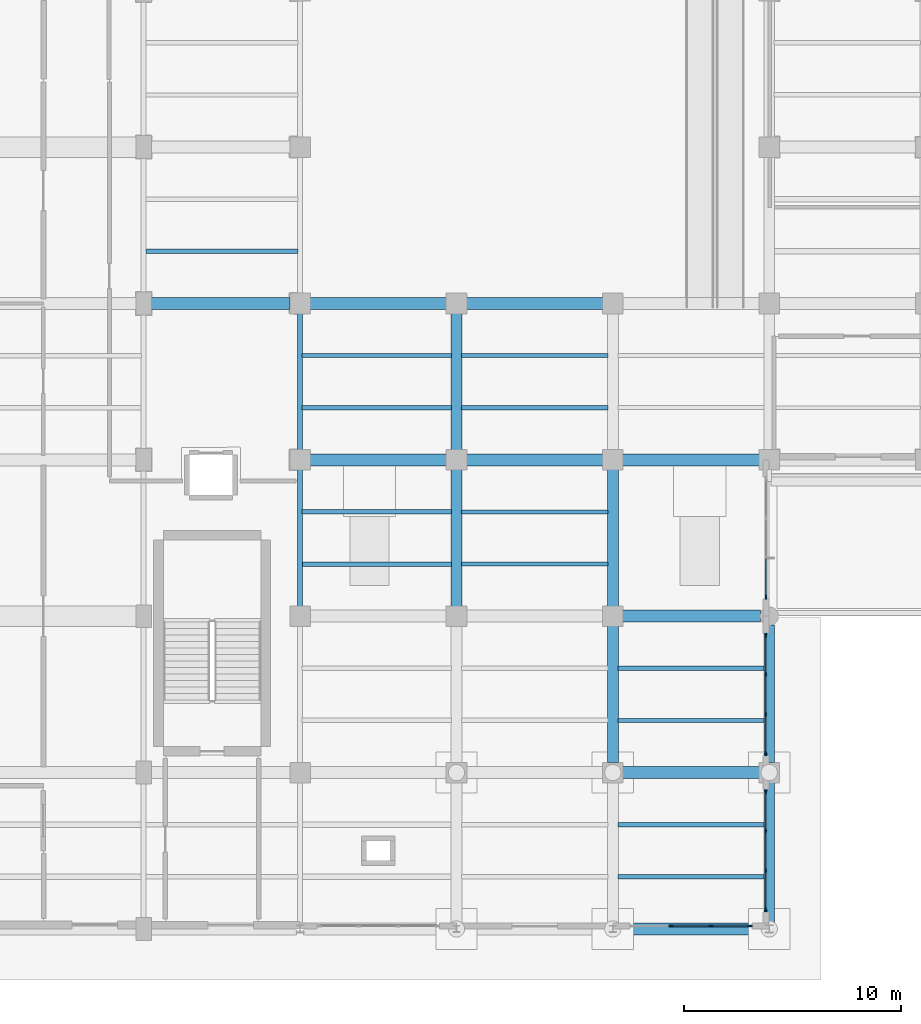
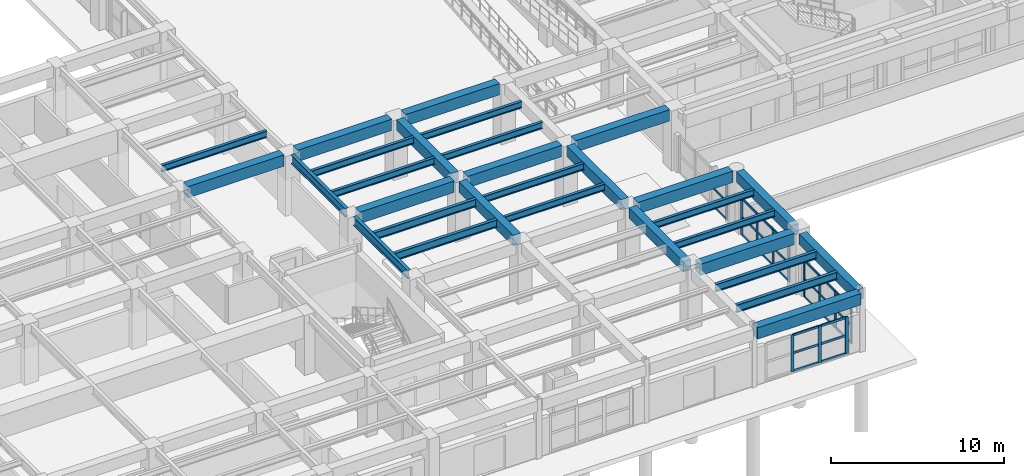
# One storey, part 7 of 64: 38 members, 30 beams, 4 elements without a shape of their own.
"""IFC4 building model written with IfcOpenShell, lengths in metres."""

import ifcopenshell
import ifcopenshell.guid

model = None  # the IFC model being written
_history = None  # IfcOwnerHistory: only IFC2X3 demands one
_inside = {}  # id of a spatial element -> (the spatial element, [elements in it])
_under = {}  # id of a project, library or spatial element -> (it, [spatial elements below it])
_declared = {}  # id of a project -> (the project, [libraries it declares])
_typed = {}  # id of a type object -> (the type object, [elements of that type])
_made_of = {}  # id of a material, layer set ... -> (it, [elements and type objects made of it])


def new_model(schema):
    """Start an empty IFC model of exactly this schema.

    Asked for "IFC4X3", IfcOpenShell would pick the latest addendum, in which some entities
    have other attributes; the version numbers below select the first issue.
    IFC2X3 requires an IfcOwnerHistory on every rooted entity: one is made here for all.
    """
    global model, _history
    if schema == "IFC4X3":
        model = ifcopenshell.file(schema_version=(4, 3, 0, 0))
    else:
        model = ifcopenshell.file(schema=schema)
    _inside.clear()
    _under.clear()
    _declared.clear()
    _typed.clear()
    _made_of.clear()
    _history = None
    if model.schema == "IFC2X3":
        org = make("IfcOrganization", Name="unknown")
        user = make(
            "IfcPersonAndOrganization",
            ThePerson=make("IfcPerson", FamilyName="unknown"),
            TheOrganization=org,
        )
        app = make(
            "IfcApplication",
            ApplicationDeveloper=org,
            Version="unknown",
            ApplicationFullName="unknown",
            ApplicationIdentifier="unknown",
        )
        _history = make(
            "IfcOwnerHistory",
            OwningUser=user,
            OwningApplication=app,
            ChangeAction="ADDED",
            CreationDate=0,
        )
    return model


def make(cls, **values):
    """One entity of the class cls with the attributes given. An attribute that is None is left unset."""
    return model.create_entity(
        cls, **{name: value for name, value in values.items() if value is not None}
    )


def rooted(cls, **values):
    """An entity with a GlobalId (a new one), such as an element, a storey or a relation."""
    return make(cls, GlobalId=ifcopenshell.guid.new(), OwnerHistory=_history, **values)


def si_unit(unit_type, name, prefix=None):
    """IfcSIUnit, for example si_unit("LENGTHUNIT", "METRE", prefix="MILLI")."""
    return make("IfcSIUnit", UnitType=unit_type, Prefix=prefix, Name=name)


def assignment(units):
    """IfcUnitAssignment: the units of a project."""
    return None if units is None else make("IfcUnitAssignment", Units=units)


def point(xyz):
    """IfcCartesianPoint."""
    return None if xyz is None else make("IfcCartesianPoint", Coordinates=xyz)


def direction(xyz):
    """IfcDirection."""
    return None if xyz is None else make("IfcDirection", DirectionRatios=xyz)


def frame(location, z_axis=None, x_axis=None):
    """IfcAxis2Placement3D, a coordinate frame: its origin and axes. An axis left out is left unset."""
    return make(
        "IfcAxis2Placement3D",
        Location=point(location),
        Axis=direction(z_axis),
        RefDirection=direction(x_axis),
    )


def frame_2d(location, x_axis=None):
    """IfcAxis2Placement2D, a coordinate frame in the plane: its origin and x axis."""
    return make(
        "IfcAxis2Placement2D", Location=point(location), RefDirection=direction(x_axis)
    )


def origin():
    """The frame at (0, 0, 0) with its axes left unset."""
    return frame((0.0, 0.0, 0.0))


def origin_2d():
    """The frame at (0, 0) in the plane with its x axis left unset."""
    return frame_2d((0.0, 0.0))


def place(relative_to, where):
    """IfcLocalPlacement: puts the frame where relative to a parent placement (None: the world)."""
    return make(
        "IfcLocalPlacement", PlacementRelTo=relative_to, RelativePlacement=where
    )


def context(
    kind, dimensions, precision=None, world=None, true_north=None, identifier=None
):
    """IfcGeometricRepresentationContext, for example the 3D "Model" context."""
    return make(
        "IfcGeometricRepresentationContext",
        ContextIdentifier=identifier,
        ContextType=kind,
        CoordinateSpaceDimension=dimensions,
        Precision=precision,
        WorldCoordinateSystem=world,
        TrueNorth=true_north,
    )


def subcontext(parent, identifier, kind, view, scale=None):
    """IfcGeometricRepresentationSubContext, for example "Body" below "Model"."""
    return make(
        "IfcGeometricRepresentationSubContext",
        ContextIdentifier=identifier,
        ContextType=kind,
        ParentContext=parent,
        TargetScale=scale,
        TargetView=view,
    )


def project(units=None, contexts=None):
    """IfcProject with its units and contexts."""
    return rooted(
        "IfcProject",
        Name="project",
        RepresentationContexts=contexts,
        UnitsInContext=assignment(units),
    )


def spatial(cls, under=None, at=None, **own):
    """A site, building, storey or space (cls), placed at a placement, below another one or the project."""
    s = rooted(cls, ObjectPlacement=at, **own)
    if under is not None:
        _under.setdefault(under.id(), (under, []))[1].append(s)
    return s


def profile(cls, at=None, kind="AREA", **sizes):
    """A parametric profile (cls). Its sizes go by their IFC names, for example OverallWidth=200.0."""
    return make(cls, ProfileType=kind, Position=at, **sizes)


def rectangle(**sizes):
    """IfcRectangleProfileDef."""
    return profile("IfcRectangleProfileDef", **sizes)


def i_section(**sizes):
    """IfcIShapeProfileDef."""
    return profile("IfcIShapeProfileDef", **sizes)


def extrude(swept, where, along, depth):
    """IfcExtrudedAreaSolid: the profile swept, set in the frame where, extruded along a direction by depth."""
    return make(
        "IfcExtrudedAreaSolid",
        SweptArea=swept,
        Position=where,
        ExtrudedDirection=direction(along),
        Depth=depth,
    )


def shape(context_of_items, identifier, shape_type, items):
    """IfcShapeRepresentation: the items that make up one representation, for example the "Body"."""
    return make(
        "IfcShapeRepresentation",
        ContextOfItems=context_of_items,
        RepresentationIdentifier=identifier,
        RepresentationType=shape_type,
        Items=items,
    )


def material(Name=None, Category=None):
    """IfcMaterial."""
    return make("IfcMaterial", Name=Name, Category=Category)


def layer(
    of_material, thickness, ventilated=None, Name=None, Category=None, Priority=None
):
    """IfcMaterialLayer: one layer of a wall or slab, of a material (None: an air gap)."""
    return make(
        "IfcMaterialLayer",
        Material=of_material,
        LayerThickness=thickness,
        IsVentilated=ventilated,
        Name=Name,
        Category=Category,
        Priority=Priority,
    )


def layer_set(layers, Name=None):
    """IfcMaterialLayerSet."""
    return make("IfcMaterialLayerSet", MaterialLayers=layers, LayerSetName=Name)


def material_profile(
    of_material, cross_section, Name=None, Category=None, Priority=None
):
    """IfcMaterialProfile: a cross section and its material."""
    return make(
        "IfcMaterialProfile",
        Name=Name,
        Material=of_material,
        Profile=cross_section,
        Priority=Priority,
        Category=Category,
    )


def profile_set(profiles, Name=None, composite=None):
    """IfcMaterialProfileSet."""
    return make(
        "IfcMaterialProfileSet",
        Name=Name,
        MaterialProfiles=profiles,
        CompositeProfile=composite,
    )


def made_of(thing, what):
    """Note that an element or type object is made of a material, layer set ...; save() writes the relation."""
    if what is not None:
        _made_of.setdefault(what.id(), (what, []))[1].append(thing)
    return thing


def type_object(cls, material=None, **own):
    """A type object (cls), such as IfcWallType, which elements share."""
    return made_of(rooted(cls, **own), material)


def element(
    cls,
    number,
    at=None,
    inside=None,
    cuts=None,
    type_object=None,
    material=None,
    context=None,
    identifier="Body",
    shape_type=None,
    held_by="IfcProductDefinitionShape",
    body=None,
    shapes=None,
    **own,
):
    """One element of the class cls, such as IfcWall. Its Tag is "e" and its number.

    at: its placement. inside: the storey or other place that contains it. cuts: it is an
    opening in that element (IfcRelVoidsElement). A single representation is given by context,
    identifier, shape_type and body (its items); several are given by shapes. held_by: the class
    of the entity that holds the representations. save() writes the other relations.
    """
    e = rooted(cls, Tag="e%d" % number, ObjectPlacement=at, **own)
    if body is not None:
        shapes = [shape(context, identifier, shape_type, body)]
    if shapes is not None:
        e.Representation = make(held_by, Representations=shapes)
    if inside is not None:
        _inside.setdefault(inside.id(), (inside, []))[1].append(e)
    if cuts is not None:
        rooted(
            "IfcRelVoidsElement", RelatingBuildingElement=cuts, RelatedOpeningElement=e
        )
    if type_object is not None:
        _typed.setdefault(type_object.id(), (type_object, []))[1].append(e)
    return made_of(e, material)


def aggregate(whole, parts):
    """IfcRelAggregates: a whole, such as a stair, and the parts it consists of."""
    return rooted("IfcRelAggregates", RelatingObject=whole, RelatedObjects=parts)


def save(model, path):
    """Write the relations noted so far, then the file.

    IfcRelAggregates (storeys below a building ...), IfcRelContainedInSpatialStructure (elements
    in a storey), IfcRelDefinesByType, IfcRelAssociatesMaterial and IfcRelDeclares: one each for
    every whole, place, type object, material and project.
    """
    for whole, parts in _under.values():
        aggregate(whole, parts)
    for where, things in _inside.values():
        rooted(
            "IfcRelContainedInSpatialStructure",
            RelatedElements=things,
            RelatingStructure=where,
        )
    for kind, things in _typed.values():
        rooted("IfcRelDefinesByType", RelatedObjects=things, RelatingType=kind)
    for what, things in _made_of.values():
        rooted("IfcRelAssociatesMaterial", RelatedObjects=things, RelatingMaterial=what)
    for by, libraries in _declared.values():
        rooted("IfcRelDeclares", RelatingContext=by, RelatedDefinitions=libraries)
    model.write(path)


model = new_model("IFC4")

# Units and contexts
model_context = context("Model", 3, precision=1e-05, world=origin(), true_north=direction((0.0, 1.0)))
body_context = subcontext(model_context, "Body", "Model", "MODEL_VIEW")
ifc_project = project(units=[si_unit("LENGTHUNIT", "METRE"), si_unit("AREAUNIT", "SQUARE_METRE"), si_unit("VOLUMEUNIT", "CUBIC_METRE"), si_unit("PLANEANGLEUNIT", "RADIAN"), si_unit("MASSUNIT", "GRAM", prefix="KILO")], contexts=[model_context])

# Site, building, storey
site_placement = place(None, origin())
site = spatial("IfcSite", under=ifc_project, at=site_placement, CompositionType="ELEMENT")
building_placement = place(site_placement, origin())
building = spatial("IfcBuilding", under=site, at=building_placement, Name="Solenvale Faculty of Natural Sciences", CompositionType="ELEMENT")
storey_placement = place(building_placement, origin())
storey = spatial("IfcBuildingStorey", under=building, at=storey_placement, Name="L00", CompositionType="ELEMENT", Elevation=0.0)

# Beams
ifc_material_1 = material(Name="Concrete 40 MPa", Category="concrete")
ifc_material_profile_1 = material_profile(ifc_material_1, rectangle(XDim=0.5, YDim=0.75, at=origin_2d()), Name="RC-BM-500x750")
ifc_profile_set_1 = profile_set([ifc_material_profile_1], Name="Concrete 40 MPa")
beam_type_1 = type_object("IfcBeamType", Name="BM-RC-500x750", PredefinedType="BEAM", material=ifc_profile_set_1)
for number, where, z_axis, x_axis, name in (
    (1, (43.199951171875, 14.85498046875, 3.844970703125), (0.0, 1.0, 0.0), (-1.0, 0.0, 0.0), "L00 Y-Girder X43.2 (14.4..21.6)"),
    (2, (43.199951171875, 22.054931640625, 3.844970703125), (0.0, 1.0, 0.0), (-1.0, 0.0, 0.0), "L00 Y-Girder X43.2 (21.6..28.8)"),
    (3, (50.39990234375, 7.655029296875, 3.844970703125), (0.0, 1.0, 0.0), (-1.0, 0.0, 0.0), "L00 Y-Girder X50.4 (7.2..14.4)"),
    (4, (50.39990234375, 14.85498046875, 3.844970703125), (0.0, 1.0, 0.0), (-1.0, 0.0, 0.0), "L00 Y-Girder X50.4 (14.4..21.6)"),
):
    element("IfcBeam", number, at=place(storey_placement, frame(where, z_axis=z_axis, x_axis=x_axis)), inside=storey, type_object=beam_type_1, Name=name, PredefinedType="BEAM", context=body_context, shape_type="SweptSolid", body=[
        extrude(rectangle(XDim=0.5, YDim=0.75, at=origin_2d()), origin(), (0.0, 0.0, 1.0), 6.2900390625),
    ])
beam_1_placement = place(storey_placement, frame((57.60009765625, 0.157958984375, 3.844970703125), z_axis=(0.0, 1.0, 0.0), x_axis=(-1.0, 0.0, 0.0)))
element("IfcBeam", 5, at=beam_1_placement, inside=storey, type_object=beam_type_1, Name="L00 Y-Girder X57.6 (0.0..7.2)", PredefinedType="BEAM", context=body_context, shape_type="SweptSolid", body=[
    extrude(rectangle(XDim=0.5, YDim=0.75, at=origin_2d()), origin(), (0.0, 0.0, 1.0), 6.587158203125),
])
beam_2_placement = place(storey_placement, frame((57.60009765625, 7.655029296875, 3.844970703125), z_axis=(0.0, 1.0, 0.0), x_axis=(-1.0, 0.0, 0.0)))
element("IfcBeam", 6, at=beam_2_placement, inside=storey, type_object=beam_type_1, Name="L00 Y-Girder X57.6 (7.2..14.4)", PredefinedType="BEAM", context=body_context, shape_type="SweptSolid", body=[
    extrude(rectangle(XDim=0.5, YDim=0.75, at=origin_2d()), origin(), (0.0, 0.0, 1.0), 6.340087890625),
])
ifc_material_profile_2 = material_profile(ifc_material_1, rectangle(XDim=0.550048828125, YDim=0.800048828125, at=origin_2d()), Name="RC-BM-550x800")
ifc_profile_set_2 = profile_set([ifc_material_profile_2], Name="Concrete 40 MPa")
beam_type_2 = type_object("IfcBeamType", Name="BM-RC-550x800", PredefinedType="BEAM", material=ifc_profile_set_2)
beam_3_placement = place(storey_placement, frame((50.533935546875, 0.0, 3.820068359375), z_axis=(1.0, 0.0, 0.0), x_axis=(0.0, 1.0, 0.0)))
element("IfcBeam", 7, at=beam_3_placement, inside=storey, type_object=beam_type_2, Name="L00 X-Girder Y0.0 (50.4..57.6)", PredefinedType="BEAM", context=body_context, shape_type="SweptSolid", body=[
    extrude(rectangle(XDim=0.550048828125, YDim=0.800048828125, at=origin_2d()), origin(), (0.0, 0.0, 1.0), 6.902099609375),
])
beam_4_placement = place(storey_placement, frame((50.85498046875, 7.199951171875, 3.820068359375), z_axis=(1.0, 0.0, 0.0), x_axis=(0.0, 1.0, 0.0)))
element("IfcBeam", 8, at=beam_4_placement, inside=storey, type_object=beam_type_2, Name="L00 X-Girder Y7.2 (50.4..57.6)", PredefinedType="BEAM", context=body_context, shape_type="SweptSolid", body=[
    extrude(rectangle(XDim=0.550048828125, YDim=0.800048828125, at=origin_2d()), origin(), (0.0, 0.0, 1.0), 6.2900390625),
])
beam_5_placement = place(storey_placement, frame((50.85498046875, 14.39990234375, 3.820068359375), z_axis=(1.0, 0.0, 0.0), x_axis=(0.0, 1.0, 0.0)))
element("IfcBeam", 9, at=beam_5_placement, inside=storey, type_object=beam_type_2, Name="L00 X-Girder Y14.4 (50.4..57.6)", PredefinedType="BEAM", context=body_context, shape_type="SweptSolid", body=[
    extrude(rectangle(XDim=0.550048828125, YDim=0.800048828125, at=origin_2d()), origin(), (0.0, 0.0, 1.0), 6.340087890625),
])
for number, where, z_axis, x_axis, name in (
    (10, (36.455078125, 21.60009765625, 3.820068359375), (1.0, 0.0, 0.0), (0.0, 1.0, 0.0), "L00 X-Girder Y21.6 (36.0..43.2)"),
    (11, (43.655029296875, 21.60009765625, 3.820068359375), (1.0, 0.0, 0.0), (0.0, 1.0, 0.0), "L00 X-Girder Y21.6 (43.2..50.4)"),
    (12, (50.85498046875, 21.60009765625, 3.820068359375), (1.0, 0.0, 0.0), (0.0, 1.0, 0.0), "L00 X-Girder Y21.6 (50.4..57.6)"),
):
    element("IfcBeam", number, at=place(storey_placement, frame(where, z_axis=z_axis, x_axis=x_axis)), inside=storey, type_object=beam_type_2, Name=name, PredefinedType="BEAM", context=body_context, shape_type="SweptSolid", body=[
        extrude(rectangle(XDim=0.550048828125, YDim=0.800048828125, at=origin_2d()), origin(), (0.0, 0.0, 1.0), 6.2900390625),
    ])
beam_6_placement = place(storey_placement, frame((29.1298828125, 28.800048828125, 3.820068359375), z_axis=(1.0, 0.0, 0.0), x_axis=(0.0, 1.0, 0.0)))
element("IfcBeam", 13, at=beam_6_placement, inside=storey, type_object=beam_type_2, Name="L00 X-Girder Y28.8 (28.8..36.0)", PredefinedType="BEAM", context=body_context, shape_type="SweptSolid", body=[
    extrude(rectangle(XDim=0.550048828125, YDim=0.800048828125, at=origin_2d()), origin(), (0.0, 0.0, 1.0), 6.4150390625),
])
for number, where, z_axis, x_axis, name in (
    (14, (36.455078125, 28.800048828125, 3.820068359375), (1.0, 0.0, 0.0), (0.0, 1.0, 0.0), "L00 X-Girder Y28.8 (36.0..43.2)"),
    (15, (43.655029296875, 28.800048828125, 3.820068359375), (1.0, 0.0, 0.0), (0.0, 1.0, 0.0), "L00 X-Girder Y28.8 (43.2..50.4)"),
):
    element("IfcBeam", number, at=place(storey_placement, frame(where, z_axis=z_axis, x_axis=x_axis)), inside=storey, type_object=beam_type_2, Name=name, PredefinedType="BEAM", context=body_context, shape_type="SweptSolid", body=[
        extrude(rectangle(XDim=0.550048828125, YDim=0.800048828125, at=origin_2d()), origin(), (0.0, 0.0, 1.0), 6.2900390625),
    ])
ifc_material_2 = material(Name="Steel S355", Category="steel")
ifc_material_profile_3 = material_profile(ifc_material_2, i_section(OverallWidth=0.194091796875, OverallDepth=0.468994140625, WebThickness=0.0126953125, FlangeThickness=0.0205078125, FilletRadius=0.01806640625, at=origin_2d()), Name="W460x106")
ifc_profile_set_3 = profile_set([ifc_material_profile_3], Name="Steel S355")
beam_type_3 = type_object("IfcBeamType", Name="BM-STL-W460x106", PredefinedType="JOIST", material=ifc_profile_set_3)
beam_7_placement = place(storey_placement, frame((28.89501953125, 31.199951171875, 3.985595703125), z_axis=(1.0, 0.0, 0.0), x_axis=(0.0, 1.0, 0.0)))
element("IfcBeam", 16, at=beam_7_placement, inside=storey, type_object=beam_type_3, Name="L00 Composite Floor Joist (5,5).1", PredefinedType="JOIST", context=body_context, shape_type="SweptSolid", body=[
    extrude(i_section(OverallWidth=0.194091796875, OverallDepth=0.468994140625, WebThickness=0.0126953125, FlangeThickness=0.0205078125, FilletRadius=0.01806640625, at=origin_2d()), origin(), (0.0, 0.0, 1.0), 7.010986328125),
])
for number, where, z_axis, x_axis, name in (
    (17, (36.093994140625, 24.0, 3.985595703125), (1.0, 0.0, 0.0), (0.0, 1.0, 0.0), "L00 Composite Floor Joist (6,4).1"),
    (18, (36.093994140625, 26.39990234375, 3.985595703125), (1.0, 0.0, 0.0), (0.0, 1.0, 0.0), "L00 Composite Floor Joist (6,4).2"),
):
    element("IfcBeam", number, at=place(storey_placement, frame(where, z_axis=z_axis, x_axis=x_axis)), inside=storey, type_object=beam_type_3, Name=name, PredefinedType="JOIST", context=body_context, shape_type="SweptSolid", body=[
        extrude(i_section(OverallWidth=0.194091796875, OverallDepth=0.468994140625, WebThickness=0.0126953125, FlangeThickness=0.0205078125, FilletRadius=0.01806640625, at=origin_2d()), origin(), (0.0, 0.0, 1.0), 6.8759765625),
    ])
for number, where, z_axis, x_axis, name in (
    (19, (43.429931640625, 16.800048828125, 3.985595703125), (1.0, 0.0, 0.0), (0.0, 1.0, 0.0), "L00 Composite Floor Joist (7,3).1"),
    (20, (43.429931640625, 19.199951171875, 3.985595703125), (1.0, 0.0, 0.0), (0.0, 1.0, 0.0), "L00 Composite Floor Joist (7,3).2"),
):
    element("IfcBeam", number, at=place(storey_placement, frame(where, z_axis=z_axis, x_axis=x_axis)), inside=storey, type_object=beam_type_3, Name=name, PredefinedType="JOIST", context=body_context, shape_type="SweptSolid", body=[
        extrude(i_section(OverallWidth=0.194091796875, OverallDepth=0.468994140625, WebThickness=0.0126953125, FlangeThickness=0.0205078125, FilletRadius=0.01806640625, at=origin_2d()), origin(), (0.0, 0.0, 1.0), 6.739990234375),
    ])
for number, where, z_axis, x_axis, name in (
    (21, (50.6298828125, 9.60009765625, 3.985595703125), (1.0, 0.0, 0.0), (0.0, 1.0, 0.0), "L00 Composite Floor Joist (8,2).1"),
    (22, (50.6298828125, 12.0, 3.985595703125), (1.0, 0.0, 0.0), (0.0, 1.0, 0.0), "L00 Composite Floor Joist (8,2).2"),
):
    element("IfcBeam", number, at=place(storey_placement, frame(where, z_axis=z_axis, x_axis=x_axis)), inside=storey, type_object=beam_type_3, Name=name, PredefinedType="JOIST", context=body_context, shape_type="SweptSolid", body=[
        extrude(i_section(OverallWidth=0.194091796875, OverallDepth=0.468994140625, WebThickness=0.0126953125, FlangeThickness=0.0205078125, FilletRadius=0.01806640625, at=origin_2d()), origin(), (0.0, 0.0, 1.0), 6.740234375),
    ])
ifc_material_profile_4 = material_profile(ifc_material_2, i_section(OverallWidth=0.19091796875, OverallDepth=0.4599609375, WebThickness=0.010009765625, FlangeThickness=0.01611328125, FilletRadius=0.01806640625, at=origin_2d()), Name="W460x82")
ifc_profile_set_4 = profile_set([ifc_material_profile_4], Name="Steel S355")
beam_type_4 = type_object("IfcBeamType", Name="BM-STL-W460x82", PredefinedType="JOIST", material=ifc_profile_set_4)
for number, where, z_axis, x_axis, name in (
    (23, (43.429931640625, 24.0, 3.989990234375), (1.0, 0.0, 0.0), (0.0, 1.0, 0.0), "L00 Composite Floor Joist (7,4).1"),
    (24, (43.429931640625, 26.39990234375, 3.989990234375), (1.0, 0.0, 0.0), (0.0, 1.0, 0.0), "L00 Composite Floor Joist (7,4).2"),
):
    element("IfcBeam", number, at=place(storey_placement, frame(where, z_axis=z_axis, x_axis=x_axis)), inside=storey, type_object=beam_type_4, Name=name, PredefinedType="JOIST", context=body_context, shape_type="SweptSolid", body=[
        extrude(i_section(OverallWidth=0.19091796875, OverallDepth=0.4599609375, WebThickness=0.010009765625, FlangeThickness=0.01611328125, FilletRadius=0.01806640625, at=origin_2d()), origin(), (0.0, 0.0, 1.0), 6.739990234375),
    ])
ifc_material_profile_5 = material_profile(ifc_material_2, i_section(OverallWidth=0.208984375, OverallDepth=0.532958984375, WebThickness=0.01025390625, FlangeThickness=0.015625, FilletRadius=0.01904296875, at=origin_2d()), Name="W530x92")
ifc_profile_set_5 = profile_set([ifc_material_profile_5], Name="Steel S355")
beam_type_5 = type_object("IfcBeamType", Name="BM-STL-W530x92", PredefinedType="JOIST", material=ifc_profile_set_5)
for number, where, z_axis, x_axis, name in (
    (25, (36.093994140625, 16.800048828125, 3.95361328125), (1.0, 0.0, 0.0), (0.0, 1.0, 0.0), "L00 Composite Floor Joist (6,3).1"),
    (26, (36.093994140625, 19.199951171875, 3.95361328125), (1.0, 0.0, 0.0), (0.0, 1.0, 0.0), "L00 Composite Floor Joist (6,3).2"),
):
    element("IfcBeam", number, at=place(storey_placement, frame(where, z_axis=z_axis, x_axis=x_axis)), inside=storey, type_object=beam_type_5, Name=name, PredefinedType="JOIST", context=body_context, shape_type="SweptSolid", body=[
        extrude(i_section(OverallWidth=0.208984375, OverallDepth=0.532958984375, WebThickness=0.01025390625, FlangeThickness=0.015625, FilletRadius=0.01904296875, at=origin_2d()), origin(), (0.0, 0.0, 1.0), 6.8759765625),
    ])
for number, where, z_axis, x_axis, name in (
    (27, (50.6298828125, 2.39990234375, 3.95361328125), (1.0, 0.0, 0.0), (0.0, 1.0, 0.0), "L00 Composite Floor Joist (8,1).1"),
    (28, (50.6298828125, 4.800048828125, 3.95361328125), (1.0, 0.0, 0.0), (0.0, 1.0, 0.0), "L00 Composite Floor Joist (8,1).2"),
):
    element("IfcBeam", number, at=place(storey_placement, frame(where, z_axis=z_axis, x_axis=x_axis)), inside=storey, type_object=beam_type_5, Name=name, PredefinedType="JOIST", context=body_context, shape_type="SweptSolid", body=[
        extrude(i_section(OverallWidth=0.208984375, OverallDepth=0.532958984375, WebThickness=0.01025390625, FlangeThickness=0.015625, FilletRadius=0.01904296875, at=origin_2d()), origin(), (0.0, 0.0, 1.0), 6.740234375),
    ])
ifc_material_profile_6 = material_profile(ifc_material_2, i_section(OverallWidth=0.22900390625, OverallDepth=0.612060546875, WebThickness=0.011962890625, FlangeThickness=0.01953125, FilletRadius=0.01904296875, at=origin_2d()), Name="W610x125")
ifc_profile_set_6 = profile_set([ifc_material_profile_6], Name="Steel S355")
beam_type_6 = type_object("IfcBeamType", Name="BM-STL-W610x125", PredefinedType="BEAM", material=ifc_profile_set_6)
for number, where, z_axis, x_axis, name in (
    (29, (36.0, 14.85498046875, 3.9140625), (0.0, 1.0, 0.0), (-1.0, 0.0, 0.0), "L00 Y-Girder X36.0 (14.4..21.6)"),
    (30, (36.0, 22.054931640625, 3.9140625), (0.0, 1.0, 0.0), (-1.0, 0.0, 0.0), "L00 Y-Girder X36.0 (21.6..28.8)"),
):
    element("IfcBeam", number, at=place(storey_placement, frame(where, z_axis=z_axis, x_axis=x_axis)), inside=storey, type_object=beam_type_6, Name=name, PredefinedType="BEAM", context=body_context, shape_type="SweptSolid", body=[
        extrude(i_section(OverallWidth=0.22900390625, OverallDepth=0.612060546875, WebThickness=0.011962890625, FlangeThickness=0.01953125, FilletRadius=0.01904296875, at=origin_2d()), origin(), (0.0, 0.0, 1.0), 6.2900390625),
    ])

# Curtain wall, members
ifc_material_3 = material(Name="Anodised bronze aluminium", Category="aluminium")
ifc_layer_1 = layer(ifc_material_3, 0.205078125)
ifc_layer_set_1 = layer_set([ifc_layer_1], Name="Anodised bronze aluminium")
curtain_wall_type_1 = type_object("IfcCurtainWallType", Name="CW-POR-GLZ", PredefinedType="USERDEFINED", material=ifc_layer_set_1)
curtain_wall_1_placement = place(storey_placement, origin())
curtain_wall_1 = element("IfcCurtainWall", 31, at=curtain_wall_1_placement, inside=storey, type_object=curtain_wall_type_1, Name="L00 Curtain Wall CW-L00-P1-E1-B1", ObjectType="UNITISED CURTAIN WALL", PredefinedType="USERDEFINED")
ifc_material_profile_7 = material_profile(ifc_material_3, rectangle(XDim=0.074951171875, YDim=0.2099609375, at=origin_2d()), Name="ALU-MUL-75x210")
ifc_profile_set_7 = profile_set([ifc_material_profile_7], Name="Anodised bronze aluminium")
member_type_1 = type_object("IfcMemberType", Name="CWM-ALU-75x210", PredefinedType="MULLION", material=ifc_profile_set_7)
member_1_placement = place(storey_placement, frame((57.45751953125, 0.887451171875, 0.0), z_axis=(0.0, 0.0, 1.0), x_axis=(-1.0, 0.0, 0.0)))
member_1 = element("IfcMember", 32, at=member_1_placement, type_object=member_type_1, Name="CW-06 mullion 1", PredefinedType="MULLION", context=body_context, shape_type="SweptSolid", body=[
    extrude(rectangle(XDim=0.074951171875, YDim=0.2099609375, at=origin_2d()), origin(), (0.0, 0.0, 1.0), 2.60009765625),
])
member_2_placement = place(storey_placement, frame((57.45751953125, 2.683349609375, 0.0), z_axis=(0.0, 0.0, 1.0), x_axis=(-1.0, 0.0, 0.0)))
member_2 = element("IfcMember", 33, at=member_2_placement, type_object=member_type_1, Name="CW-06 mullion 2", PredefinedType="MULLION", context=body_context, shape_type="SweptSolid", body=[
    extrude(rectangle(XDim=0.074951171875, YDim=0.2099609375, at=origin_2d()), origin(), (0.0, 0.0, 1.0), 2.60009765625),
])
member_3_placement = place(storey_placement, frame((57.45751953125, 4.5166015625, 0.0), z_axis=(0.0, 0.0, 1.0), x_axis=(-1.0, 0.0, 0.0)))
member_3 = element("IfcMember", 34, at=member_3_placement, type_object=member_type_1, Name="CW-06 mullion 3", PredefinedType="MULLION", context=body_context, shape_type="SweptSolid", body=[
    extrude(rectangle(XDim=0.074951171875, YDim=0.2099609375, at=origin_2d()), origin(), (0.0, 0.0, 1.0), 2.60009765625),
])
member_4_placement = place(storey_placement, frame((57.45751953125, 6.3125, 0.0), z_axis=(0.0, 0.0, 1.0), x_axis=(-1.0, 0.0, 0.0)))
member_4 = element("IfcMember", 35, at=member_4_placement, type_object=member_type_1, Name="CW-06 mullion 4", PredefinedType="MULLION", context=body_context, shape_type="SweptSolid", body=[
    extrude(rectangle(XDim=0.074951171875, YDim=0.2099609375, at=origin_2d()), origin(), (0.0, 0.0, 1.0), 2.60009765625),
])

curtain_wall_2_placement = place(storey_placement, origin())
curtain_wall_2 = element("IfcCurtainWall", 36, at=curtain_wall_2_placement, inside=storey, type_object=curtain_wall_type_1, Name="L00 Curtain Wall CW-L00-P1-E1-B2", ObjectType="UNITISED CURTAIN WALL", PredefinedType="USERDEFINED")
member_5_placement = place(storey_placement, frame((57.45751953125, 8.08740234375, 0.0), z_axis=(0.0, 0.0, 1.0), x_axis=(-1.0, 0.0, 0.0)))
member_5 = element("IfcMember", 37, at=member_5_placement, type_object=member_type_1, Name="CW-06 mullion 1", PredefinedType="MULLION", context=body_context, shape_type="SweptSolid", body=[
    extrude(rectangle(XDim=0.074951171875, YDim=0.2099609375, at=origin_2d()), origin(), (0.0, 0.0, 1.0), 2.60009765625),
])
member_6_placement = place(storey_placement, frame((57.45751953125, 9.88330078125, 0.0), z_axis=(0.0, 0.0, 1.0), x_axis=(-1.0, 0.0, 0.0)))
member_6 = element("IfcMember", 38, at=member_6_placement, type_object=member_type_1, Name="CW-06 mullion 2", PredefinedType="MULLION", context=body_context, shape_type="SweptSolid", body=[
    extrude(rectangle(XDim=0.074951171875, YDim=0.2099609375, at=origin_2d()), origin(), (0.0, 0.0, 1.0), 2.60009765625),
])
member_7_placement = place(storey_placement, frame((57.45751953125, 11.716552734375, 0.0), z_axis=(0.0, 0.0, 1.0), x_axis=(-1.0, 0.0, 0.0)))
member_7 = element("IfcMember", 39, at=member_7_placement, type_object=member_type_1, Name="CW-06 mullion 3", PredefinedType="MULLION", context=body_context, shape_type="SweptSolid", body=[
    extrude(rectangle(XDim=0.074951171875, YDim=0.2099609375, at=origin_2d()), origin(), (0.0, 0.0, 1.0), 2.60009765625),
])
member_8_placement = place(storey_placement, frame((57.45751953125, 13.512451171875, 0.0), z_axis=(0.0, 0.0, 1.0), x_axis=(-1.0, 0.0, 0.0)))
member_8 = element("IfcMember", 40, at=member_8_placement, type_object=member_type_1, Name="CW-06 mullion 4", PredefinedType="MULLION", context=body_context, shape_type="SweptSolid", body=[
    extrude(rectangle(XDim=0.074951171875, YDim=0.2099609375, at=origin_2d()), origin(), (0.0, 0.0, 1.0), 2.60009765625),
])

# Curtain wall, member
ifc_layer_2 = layer(ifc_material_3, 0.215087890625)
ifc_layer_set_2 = layer_set([ifc_layer_2], Name="Anodised bronze aluminium")
curtain_wall_type_2 = type_object("IfcCurtainWallType", Name="CW-ATR-UNIT", PredefinedType="USERDEFINED", material=ifc_layer_set_2)
curtain_wall_3_placement = place(storey_placement, origin())
curtain_wall_3 = element("IfcCurtainWall", 41, at=curtain_wall_3_placement, inside=storey, type_object=curtain_wall_type_2, Name="L00 Curtain Wall CW-L00-P1-E2-B1", ObjectType="UNITISED CURTAIN WALL", PredefinedType="USERDEFINED")
member_9_placement = place(storey_placement, frame((57.45751953125, 15.28759765625, 0.0), z_axis=(0.0, 0.0, 1.0), x_axis=(-1.0, 0.0, 0.0)))
member_9 = element("IfcMember", 42, at=member_9_placement, type_object=member_type_1, Name="CW-01 mullion 1", PredefinedType="MULLION", context=body_context, shape_type="SweptSolid", body=[
    extrude(rectangle(XDim=0.074951171875, YDim=0.2099609375, at=origin_2d()), origin(), (0.0, 0.0, 1.0), 2.60009765625),
])

# Curtain wall, members
curtain_wall_4_placement = place(storey_placement, origin())
curtain_wall_4 = element("IfcCurtainWall", 43, at=curtain_wall_4_placement, inside=storey, type_object=curtain_wall_type_1, Name="L00 Curtain Wall CW-L00-P1-E26-B3", ObjectType="UNITISED CURTAIN WALL", PredefinedType="USERDEFINED")
member_10_placement = place(storey_placement, frame((53.083251953125, 0.142578125, 0.0), z_axis=(0.0, 0.0, 1.0), x_axis=(0.0, 1.0, 0.0)))
member_10 = element("IfcMember", 44, at=member_10_placement, type_object=member_type_1, Name="CW-06 mullion 2", PredefinedType="MULLION", context=body_context, shape_type="SweptSolid", body=[
    extrude(rectangle(XDim=0.074951171875, YDim=0.2099609375, at=origin_2d()), origin(), (0.0, 0.0, 1.0), 2.60009765625),
])
member_11_placement = place(storey_placement, frame((54.916748046875, 0.142578125, 0.0), z_axis=(0.0, 0.0, 1.0), x_axis=(0.0, 1.0, 0.0)))
member_11 = element("IfcMember", 45, at=member_11_placement, type_object=member_type_1, Name="CW-06 mullion 3", PredefinedType="MULLION", context=body_context, shape_type="SweptSolid", body=[
    extrude(rectangle(XDim=0.074951171875, YDim=0.2099609375, at=origin_2d()), origin(), (0.0, 0.0, 1.0), 2.60009765625),
])
member_12_placement = place(storey_placement, frame((56.71240234375, 0.142578125, 0.0), z_axis=(0.0, 0.0, 1.0), x_axis=(0.0, 1.0, 0.0)))
member_12 = element("IfcMember", 46, at=member_12_placement, type_object=member_type_1, Name="CW-06 mullion 4", PredefinedType="MULLION", context=body_context, shape_type="SweptSolid", body=[
    extrude(rectangle(XDim=0.074951171875, YDim=0.2099609375, at=origin_2d()), origin(), (0.0, 0.0, 1.0), 2.60009765625),
])

# Member
ifc_material_profile_8 = material_profile(ifc_material_3, rectangle(XDim=0.074951171875, YDim=0.155029296875, at=origin_2d()), Name="ALU-TRN-75x155")
ifc_profile_set_8 = profile_set([ifc_material_profile_8], Name="Anodised bronze aluminium")
member_type_2 = type_object("IfcMemberType", Name="CWT-ALU-75x155", PredefinedType="USERDEFINED", material=ifc_profile_set_8)
member_13_placement = place(storey_placement, frame((57.45751953125, 0.925048828125, 0.03759765625), z_axis=(0.0, 1.0, 0.0), x_axis=(-1.0, 0.0, 0.0)))
member_13 = element("IfcMember", 47, at=member_13_placement, type_object=member_type_2, Name="CW-06 transom 1.1", ObjectType="TRANSOM", PredefinedType="USERDEFINED", context=body_context, shape_type="SweptSolid", body=[
    extrude(rectangle(XDim=0.074951171875, YDim=0.155029296875, at=origin_2d()), origin(), (0.0, 0.0, 1.0), 1.720703125),
])

member_14_placement = place(storey_placement, frame((57.45751953125, 0.925048828125, 1.300048828125), z_axis=(0.0, 1.0, 0.0), x_axis=(-1.0, 0.0, 0.0)))
member_14 = element("IfcMember", 48, at=member_14_placement, type_object=member_type_2, Name="CW-06 transom 1.2", ObjectType="TRANSOM", PredefinedType="USERDEFINED", context=body_context, shape_type="SweptSolid", body=[
    extrude(rectangle(XDim=0.074951171875, YDim=0.155029296875, at=origin_2d()), origin(), (0.0, 0.0, 1.0), 1.720703125),
])

member_15_placement = place(storey_placement, frame((57.45751953125, 0.925048828125, 2.5625), z_axis=(0.0, 1.0, 0.0), x_axis=(-1.0, 0.0, 0.0)))
member_15 = element("IfcMember", 49, at=member_15_placement, type_object=member_type_2, Name="CW-06 transom 1.3", ObjectType="TRANSOM", PredefinedType="USERDEFINED", context=body_context, shape_type="SweptSolid", body=[
    extrude(rectangle(XDim=0.074951171875, YDim=0.155029296875, at=origin_2d()), origin(), (0.0, 0.0, 1.0), 1.720703125),
])

member_16_placement = place(storey_placement, frame((57.45751953125, 2.720947265625, 0.03759765625), z_axis=(0.0, 1.0, 0.0), x_axis=(-1.0, 0.0, 0.0)))
member_16 = element("IfcMember", 50, at=member_16_placement, type_object=member_type_2, Name="CW-06 transom 2.1", ObjectType="TRANSOM", PredefinedType="USERDEFINED", context=body_context, shape_type="SweptSolid", body=[
    extrude(rectangle(XDim=0.074951171875, YDim=0.155029296875, at=origin_2d()), origin(), (0.0, 0.0, 1.0), 1.75830078125),
])

member_17_placement = place(storey_placement, frame((57.45751953125, 2.720947265625, 1.300048828125), z_axis=(0.0, 1.0, 0.0), x_axis=(-1.0, 0.0, 0.0)))
member_17 = element("IfcMember", 51, at=member_17_placement, type_object=member_type_2, Name="CW-06 transom 2.2", ObjectType="TRANSOM", PredefinedType="USERDEFINED", context=body_context, shape_type="SweptSolid", body=[
    extrude(rectangle(XDim=0.074951171875, YDim=0.155029296875, at=origin_2d()), origin(), (0.0, 0.0, 1.0), 1.75830078125),
])

member_18_placement = place(storey_placement, frame((57.45751953125, 2.720947265625, 2.5625), z_axis=(0.0, 1.0, 0.0), x_axis=(-1.0, 0.0, 0.0)))
member_18 = element("IfcMember", 52, at=member_18_placement, type_object=member_type_2, Name="CW-06 transom 2.3", ObjectType="TRANSOM", PredefinedType="USERDEFINED", context=body_context, shape_type="SweptSolid", body=[
    extrude(rectangle(XDim=0.074951171875, YDim=0.155029296875, at=origin_2d()), origin(), (0.0, 0.0, 1.0), 1.75830078125),
])

member_19_placement = place(storey_placement, frame((57.45751953125, 4.55419921875, 0.03759765625), z_axis=(0.0, 1.0, 0.0), x_axis=(-1.0, 0.0, 0.0)))
member_19 = element("IfcMember", 53, at=member_19_placement, type_object=member_type_2, Name="CW-06 transom 3.1", ObjectType="TRANSOM", PredefinedType="USERDEFINED", context=body_context, shape_type="SweptSolid", body=[
    extrude(rectangle(XDim=0.074951171875, YDim=0.155029296875, at=origin_2d()), origin(), (0.0, 0.0, 1.0), 1.720703125),
])

member_20_placement = place(storey_placement, frame((57.45751953125, 4.55419921875, 1.300048828125), z_axis=(0.0, 1.0, 0.0), x_axis=(-1.0, 0.0, 0.0)))
member_20 = element("IfcMember", 54, at=member_20_placement, type_object=member_type_2, Name="CW-06 transom 3.2", ObjectType="TRANSOM", PredefinedType="USERDEFINED", context=body_context, shape_type="SweptSolid", body=[
    extrude(rectangle(XDim=0.074951171875, YDim=0.155029296875, at=origin_2d()), origin(), (0.0, 0.0, 1.0), 1.720703125),
])

member_21_placement = place(storey_placement, frame((57.45751953125, 4.55419921875, 2.5625), z_axis=(0.0, 1.0, 0.0), x_axis=(-1.0, 0.0, 0.0)))
member_21 = element("IfcMember", 55, at=member_21_placement, type_object=member_type_2, Name="CW-06 transom 3.3", ObjectType="TRANSOM", PredefinedType="USERDEFINED", context=body_context, shape_type="SweptSolid", body=[
    extrude(rectangle(XDim=0.074951171875, YDim=0.155029296875, at=origin_2d()), origin(), (0.0, 0.0, 1.0), 1.720703125),
])

aggregate(curtain_wall_1, [member_1, member_2, member_3, member_4, member_13, member_14, member_15, member_16, member_17, member_18, member_19, member_20, member_21])

member_22_placement = place(storey_placement, frame((57.45751953125, 8.125, 0.03759765625), z_axis=(0.0, 1.0, 0.0), x_axis=(-1.0, 0.0, 0.0)))
member_22 = element("IfcMember", 56, at=member_22_placement, type_object=member_type_2, Name="CW-06 transom 1.1", ObjectType="TRANSOM", PredefinedType="USERDEFINED", context=body_context, shape_type="SweptSolid", body=[
    extrude(rectangle(XDim=0.074951171875, YDim=0.155029296875, at=origin_2d()), origin(), (0.0, 0.0, 1.0), 1.720947265625),
])

member_23_placement = place(storey_placement, frame((57.45751953125, 8.125, 1.300048828125), z_axis=(0.0, 1.0, 0.0), x_axis=(-1.0, 0.0, 0.0)))
member_23 = element("IfcMember", 57, at=member_23_placement, type_object=member_type_2, Name="CW-06 transom 1.2", ObjectType="TRANSOM", PredefinedType="USERDEFINED", context=body_context, shape_type="SweptSolid", body=[
    extrude(rectangle(XDim=0.074951171875, YDim=0.155029296875, at=origin_2d()), origin(), (0.0, 0.0, 1.0), 1.720947265625),
])

member_24_placement = place(storey_placement, frame((57.45751953125, 8.125, 2.5625), z_axis=(0.0, 1.0, 0.0), x_axis=(-1.0, 0.0, 0.0)))
member_24 = element("IfcMember", 58, at=member_24_placement, type_object=member_type_2, Name="CW-06 transom 1.3", ObjectType="TRANSOM", PredefinedType="USERDEFINED", context=body_context, shape_type="SweptSolid", body=[
    extrude(rectangle(XDim=0.074951171875, YDim=0.155029296875, at=origin_2d()), origin(), (0.0, 0.0, 1.0), 1.720947265625),
])

member_25_placement = place(storey_placement, frame((57.45751953125, 9.9208984375, 0.03759765625), z_axis=(0.0, 1.0, 0.0), x_axis=(-1.0, 0.0, 0.0)))
member_25 = element("IfcMember", 59, at=member_25_placement, type_object=member_type_2, Name="CW-06 transom 2.1", ObjectType="TRANSOM", PredefinedType="USERDEFINED", context=body_context, shape_type="SweptSolid", body=[
    extrude(rectangle(XDim=0.074951171875, YDim=0.155029296875, at=origin_2d()), origin(), (0.0, 0.0, 1.0), 1.75830078125),
])

member_26_placement = place(storey_placement, frame((57.45751953125, 9.9208984375, 1.300048828125), z_axis=(0.0, 1.0, 0.0), x_axis=(-1.0, 0.0, 0.0)))
member_26 = element("IfcMember", 60, at=member_26_placement, type_object=member_type_2, Name="CW-06 transom 2.2", ObjectType="TRANSOM", PredefinedType="USERDEFINED", context=body_context, shape_type="SweptSolid", body=[
    extrude(rectangle(XDim=0.074951171875, YDim=0.155029296875, at=origin_2d()), origin(), (0.0, 0.0, 1.0), 1.75830078125),
])

member_27_placement = place(storey_placement, frame((57.45751953125, 9.9208984375, 2.5625), z_axis=(0.0, 1.0, 0.0), x_axis=(-1.0, 0.0, 0.0)))
member_27 = element("IfcMember", 61, at=member_27_placement, type_object=member_type_2, Name="CW-06 transom 2.3", ObjectType="TRANSOM", PredefinedType="USERDEFINED", context=body_context, shape_type="SweptSolid", body=[
    extrude(rectangle(XDim=0.074951171875, YDim=0.155029296875, at=origin_2d()), origin(), (0.0, 0.0, 1.0), 1.75830078125),
])

member_28_placement = place(storey_placement, frame((57.45751953125, 11.754150390625, 0.03759765625), z_axis=(0.0, 1.0, 0.0), x_axis=(-1.0, 0.0, 0.0)))
member_28 = element("IfcMember", 62, at=member_28_placement, type_object=member_type_2, Name="CW-06 transom 3.1", ObjectType="TRANSOM", PredefinedType="USERDEFINED", context=body_context, shape_type="SweptSolid", body=[
    extrude(rectangle(XDim=0.074951171875, YDim=0.155029296875, at=origin_2d()), origin(), (0.0, 0.0, 1.0), 1.720947265625),
])

member_29_placement = place(storey_placement, frame((57.45751953125, 11.754150390625, 1.300048828125), z_axis=(0.0, 1.0, 0.0), x_axis=(-1.0, 0.0, 0.0)))
member_29 = element("IfcMember", 63, at=member_29_placement, type_object=member_type_2, Name="CW-06 transom 3.2", ObjectType="TRANSOM", PredefinedType="USERDEFINED", context=body_context, shape_type="SweptSolid", body=[
    extrude(rectangle(XDim=0.074951171875, YDim=0.155029296875, at=origin_2d()), origin(), (0.0, 0.0, 1.0), 1.720947265625),
])

member_30_placement = place(storey_placement, frame((57.45751953125, 11.754150390625, 2.5625), z_axis=(0.0, 1.0, 0.0), x_axis=(-1.0, 0.0, 0.0)))
member_30 = element("IfcMember", 64, at=member_30_placement, type_object=member_type_2, Name="CW-06 transom 3.3", ObjectType="TRANSOM", PredefinedType="USERDEFINED", context=body_context, shape_type="SweptSolid", body=[
    extrude(rectangle(XDim=0.074951171875, YDim=0.155029296875, at=origin_2d()), origin(), (0.0, 0.0, 1.0), 1.720947265625),
])

aggregate(curtain_wall_2, [member_5, member_6, member_7, member_8, member_22, member_23, member_24, member_25, member_26, member_27, member_28, member_29, member_30])

member_31_placement = place(storey_placement, frame((57.45751953125, 15.324951171875, 0.03759765625), z_axis=(0.0, 1.0, 0.0), x_axis=(-1.0, 0.0, 0.0)))
member_31 = element("IfcMember", 65, at=member_31_placement, type_object=member_type_2, Name="CW-01 transom 1.1", ObjectType="TRANSOM", PredefinedType="USERDEFINED", context=body_context, shape_type="SweptSolid", body=[
    extrude(rectangle(XDim=0.074951171875, YDim=0.155029296875, at=origin_2d()), origin(), (0.0, 0.0, 1.0), 1.720947265625),
])

member_32_placement = place(storey_placement, frame((57.45751953125, 15.324951171875, 1.300048828125), z_axis=(0.0, 1.0, 0.0), x_axis=(-1.0, 0.0, 0.0)))
member_32 = element("IfcMember", 66, at=member_32_placement, type_object=member_type_2, Name="CW-01 transom 1.2", ObjectType="TRANSOM", PredefinedType="USERDEFINED", context=body_context, shape_type="SweptSolid", body=[
    extrude(rectangle(XDim=0.074951171875, YDim=0.155029296875, at=origin_2d()), origin(), (0.0, 0.0, 1.0), 1.720947265625),
])

aggregate(curtain_wall_3, [member_9, member_31, member_32])

member_33_placement = place(storey_placement, frame((53.120849609375, 0.142578125, 0.03759765625), z_axis=(1.0, 0.0, 0.0), x_axis=(0.0, 1.0, 0.0)))
member_33 = element("IfcMember", 67, at=member_33_placement, type_object=member_type_2, Name="CW-06 transom 2.1", ObjectType="TRANSOM", PredefinedType="USERDEFINED", context=body_context, shape_type="SweptSolid", body=[
    extrude(rectangle(XDim=0.074951171875, YDim=0.155029296875, at=origin_2d()), origin(), (0.0, 0.0, 1.0), 1.75830078125),
])

member_34_placement = place(storey_placement, frame((53.120849609375, 0.142578125, 1.300048828125), z_axis=(1.0, 0.0, 0.0), x_axis=(0.0, 1.0, 0.0)))
member_34 = element("IfcMember", 68, at=member_34_placement, type_object=member_type_2, Name="CW-06 transom 2.2", ObjectType="TRANSOM", PredefinedType="USERDEFINED", context=body_context, shape_type="SweptSolid", body=[
    extrude(rectangle(XDim=0.074951171875, YDim=0.155029296875, at=origin_2d()), origin(), (0.0, 0.0, 1.0), 1.75830078125),
])

member_35_placement = place(storey_placement, frame((53.120849609375, 0.142578125, 2.5625), z_axis=(1.0, 0.0, 0.0), x_axis=(0.0, 1.0, 0.0)))
member_35 = element("IfcMember", 69, at=member_35_placement, type_object=member_type_2, Name="CW-06 transom 2.3", ObjectType="TRANSOM", PredefinedType="USERDEFINED", context=body_context, shape_type="SweptSolid", body=[
    extrude(rectangle(XDim=0.074951171875, YDim=0.155029296875, at=origin_2d()), origin(), (0.0, 0.0, 1.0), 1.75830078125),
])

member_36_placement = place(storey_placement, frame((54.9541015625, 0.142578125, 0.03759765625), z_axis=(1.0, 0.0, 0.0), x_axis=(0.0, 1.0, 0.0)))
member_36 = element("IfcMember", 70, at=member_36_placement, type_object=member_type_2, Name="CW-06 transom 3.1", ObjectType="TRANSOM", PredefinedType="USERDEFINED", context=body_context, shape_type="SweptSolid", body=[
    extrude(rectangle(XDim=0.074951171875, YDim=0.155029296875, at=origin_2d()), origin(), (0.0, 0.0, 1.0), 1.720947265625),
])

member_37_placement = place(storey_placement, frame((54.9541015625, 0.142578125, 1.300048828125), z_axis=(1.0, 0.0, 0.0), x_axis=(0.0, 1.0, 0.0)))
member_37 = element("IfcMember", 71, at=member_37_placement, type_object=member_type_2, Name="CW-06 transom 3.2", ObjectType="TRANSOM", PredefinedType="USERDEFINED", context=body_context, shape_type="SweptSolid", body=[
    extrude(rectangle(XDim=0.074951171875, YDim=0.155029296875, at=origin_2d()), origin(), (0.0, 0.0, 1.0), 1.720947265625),
])

member_38_placement = place(storey_placement, frame((54.9541015625, 0.142578125, 2.5625), z_axis=(1.0, 0.0, 0.0), x_axis=(0.0, 1.0, 0.0)))
member_38 = element("IfcMember", 72, at=member_38_placement, type_object=member_type_2, Name="CW-06 transom 3.3", ObjectType="TRANSOM", PredefinedType="USERDEFINED", context=body_context, shape_type="SweptSolid", body=[
    extrude(rectangle(XDim=0.074951171875, YDim=0.155029296875, at=origin_2d()), origin(), (0.0, 0.0, 1.0), 1.720947265625),
])

aggregate(curtain_wall_4, [member_10, member_11, member_12, member_33, member_34, member_35, member_36, member_37, member_38])

save(model, "model.ifc")
